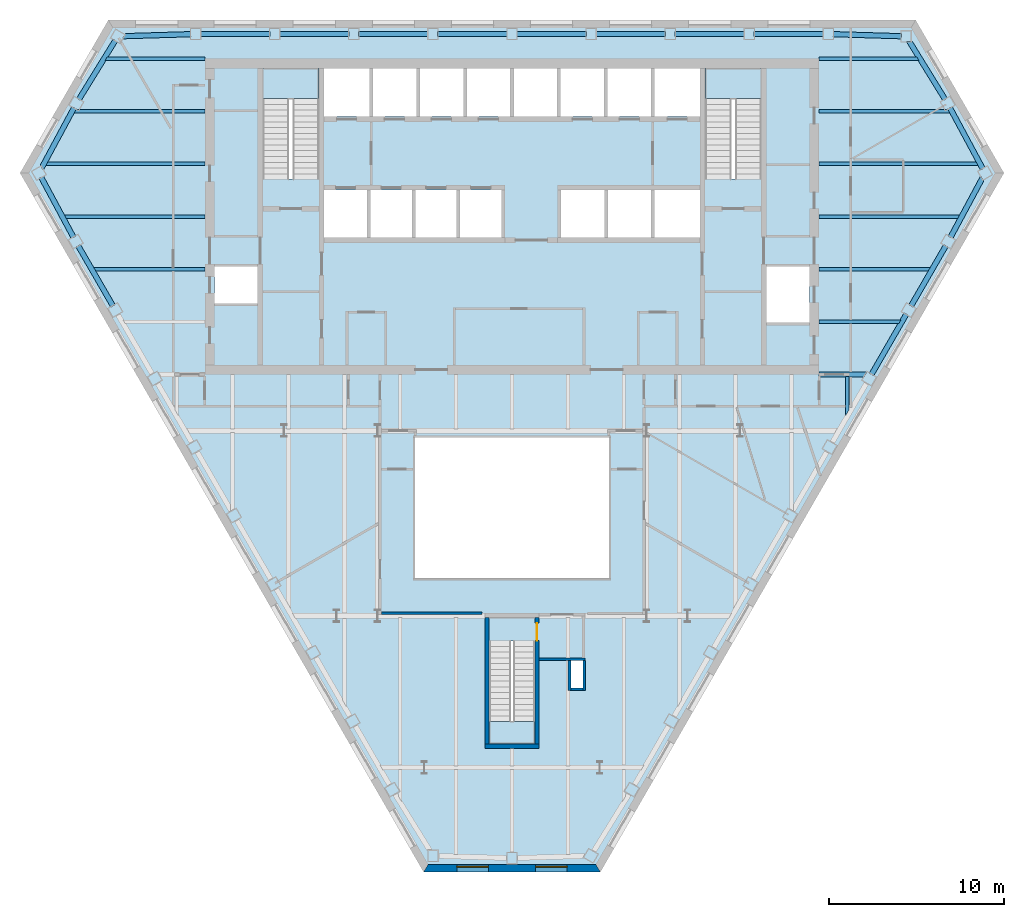
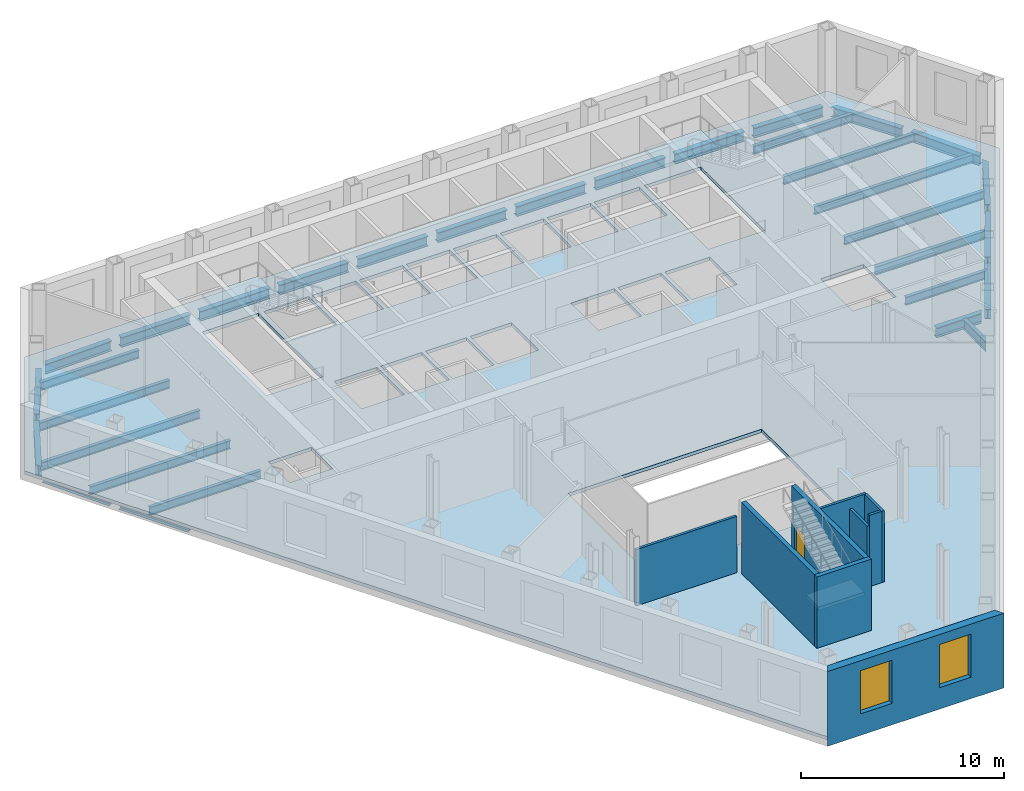
# One storey, part 3 of 11: 32 beams, 9 walls, 4 slabs, 2 windows, 1 door, 3 openings, 3 elements without a shape of their own.
"""IFC4 building model written with IfcOpenShell, lengths in metres."""

from ifc_helpers import new_model, si_unit, direction, frame, frame_2d, origin, origin_2d, place, context, subcontext, project, spatial, polyline, rectangle, i_section, outline, extrude, clip, halfspace, material, layer, layer_set, material_profile, profile_set, type_object, element, fill, aggregate, save


model = new_model("IFC4")

# Units and contexts
model_context = context("Model", 3, precision=1e-05, world=origin(), true_north=direction((0.0, 1.0)))
body_context = subcontext(model_context, "Body", "Model", "MODEL_VIEW")
ifc_project = project(units=[si_unit("LENGTHUNIT", "METRE"), si_unit("AREAUNIT", "SQUARE_METRE"), si_unit("VOLUMEUNIT", "CUBIC_METRE"), si_unit("PLANEANGLEUNIT", "RADIAN"), si_unit("MASSUNIT", "GRAM", prefix="KILO")], contexts=[model_context])

# Site, building, storey
site_placement = place(None, origin())
site = spatial("IfcSite", under=ifc_project, at=site_placement, CompositionType="ELEMENT")
building_placement = place(site_placement, origin())
building = spatial("IfcBuilding", under=site, at=building_placement, Name="Njiva Tower", CompositionType="ELEMENT")
storey_placement = place(building_placement, frame((0.0, 0.0, 102.3)))
storey = spatial("IfcBuildingStorey", under=building, at=storey_placement, Name="L21", CompositionType="ELEMENT", Elevation=102.3)

# Beams
ifc_material_1 = material(Name="Steel S355 J2", Category="steel")
ifc_material_profile_1 = material_profile(ifc_material_1, i_section(OverallWidth=0.22, OverallDepth=0.6, WebThickness=0.012, FlangeThickness=0.019, at=origin_2d()), Name="IPE 600")
ifc_profile_set_1 = profile_set([ifc_material_profile_1], Name="Steel S355 J2")
beam_type_1 = type_object("IfcBeamType", Name="B14 Short-span floor joist IPE 600", PredefinedType="JOIST", material=ifc_profile_set_1)
beam_1_placement = place(storey_placement, frame((19.1, -0.1, -0.5), z_axis=(0.0, -1.0, 0.0), x_axis=(1.0, 0.0, 0.0)))
element("IfcBeam", 1, at=beam_1_placement, inside=storey, type_object=beam_type_1, Name="Short-span floor joist S07-B092", PredefinedType="JOIST", context=body_context, shape_type="Clipping", body=[
    clip(extrude(i_section(OverallWidth=0.22, OverallDepth=0.6, WebThickness=0.012, FlangeThickness=0.019, at=origin_2d()), origin(), (0.0, 0.0, 1.0), 2.308), halfspace(frame((0.0433, 0.0, 2.0217), z_axis=(0.866026552831, 0.0, 0.499998009787), x_axis=(0.0, 1.0, 0.0)), False)),
])
ifc_material_profile_2 = material_profile(ifc_material_1, i_section(OverallWidth=0.3, OverallDepth=0.6, WebThickness=0.0155, FlangeThickness=0.03, at=origin_2d()), Name="HEB 600")
ifc_profile_set_2 = profile_set([ifc_material_profile_2], Name="Steel S355 J2")
beam_type_2 = type_object("IfcBeamType", Name="B21 Short-span floor girder HEB 600", PredefinedType="BEAM", material=ifc_profile_set_2)
beam_2_placement = place(storey_placement, frame((17.5, 0.0, -0.5), z_axis=(1.0, 0.0, 0.0), x_axis=(0.0, 1.0, 0.0)))
element("IfcBeam", 2, at=beam_2_placement, inside=storey, type_object=beam_type_2, Name="Short-span floor girder S07-B028", PredefinedType="BEAM", context=body_context, shape_type="Clipping", body=[
    clip(extrude(i_section(OverallWidth=0.3, OverallDepth=0.6, WebThickness=0.0155, FlangeThickness=0.03, at=origin_2d()), origin(), (0.0, 0.0, 1.0), 2.745), halfspace(frame((-0.025, 0.0, 2.6231), z_axis=(-0.499998009787, 0.0, 0.866026552831), x_axis=(0.0, 1.0, 0.0)), False)),
])
ifc_material_profile_3 = material_profile(ifc_material_1, i_section(OverallWidth=0.2, OverallDepth=0.5, WebThickness=0.0102, FlangeThickness=0.016, at=origin_2d()), Name="IPE 500")
ifc_profile_set_3 = profile_set([ifc_material_profile_3], Name="Steel S355 J2")
beam_type_3 = type_object("IfcBeamType", Name="B24 Floor beam to the core IPE 500", PredefinedType="BEAM", material=ifc_profile_set_3)
beam_3_placement = place(storey_placement, frame((17.5, 3.0, -0.45), z_axis=(1.0, 0.0, 0.0), x_axis=(0.0, 1.0, 0.0)))
element("IfcBeam", 3, at=beam_3_placement, inside=storey, type_object=beam_type_3, Name="Floor beam to the core S07-B008", PredefinedType="BEAM", context=body_context, shape_type="Clipping", body=[
    clip(extrude(i_section(OverallWidth=0.2, OverallDepth=0.5, WebThickness=0.0102, FlangeThickness=0.016, at=origin_2d()), origin(), (0.0, 0.0, 1.0), 4.678), halfspace(frame((-0.025, 0.0, 4.5859), z_axis=(-0.499998009787, 0.0, 0.866026552831), x_axis=(0.0, 1.0, 0.0)), False)),
])
beam_4_placement = place(storey_placement, frame((-23.91, 6.0, -0.45), z_axis=(1.0, 0.0, 0.0), x_axis=(0.0, 1.0, 0.0)))
element("IfcBeam", 4, at=beam_4_placement, inside=storey, type_object=beam_type_3, Name="Floor beam to the core S07-B005", PredefinedType="BEAM", context=body_context, shape_type="Clipping", body=[
    clip(extrude(i_section(OverallWidth=0.2, OverallDepth=0.5, WebThickness=0.0102, FlangeThickness=0.016, at=origin_2d()), origin(), (0.0, 0.0, 1.0), 6.41), halfspace(frame((-0.025, 0.0, 0.092), z_axis=(-0.499998009787, 0.0, -0.866026552831), x_axis=(0.0, -1.0, 0.0)), False)),
])
beam_5_placement = place(storey_placement, frame((17.5, 6.0, -0.45), z_axis=(1.0, 0.0, 0.0), x_axis=(0.0, 1.0, 0.0)))
element("IfcBeam", 5, at=beam_5_placement, inside=storey, type_object=beam_type_3, Name="Floor beam to the core S07-B009", PredefinedType="BEAM", context=body_context, shape_type="Clipping", body=[
    clip(extrude(i_section(OverallWidth=0.2, OverallDepth=0.5, WebThickness=0.0102, FlangeThickness=0.016, at=origin_2d()), origin(), (0.0, 0.0, 1.0), 6.41), halfspace(frame((-0.025, 0.0, 6.318), z_axis=(-0.499998009787, 0.0, 0.866026552831), x_axis=(0.0, 1.0, 0.0)), False)),
])
beam_6_placement = place(storey_placement, frame((-25.584, 9.0, -0.45), z_axis=(1.0, 0.0, 0.0), x_axis=(0.0, 1.0, 0.0)))
element("IfcBeam", 6, at=beam_6_placement, inside=storey, type_object=beam_type_3, Name="Floor beam to the core S07-B002", PredefinedType="BEAM", context=body_context, shape_type="Clipping", body=[
    clip(extrude(i_section(OverallWidth=0.2, OverallDepth=0.5, WebThickness=0.0102, FlangeThickness=0.016, at=origin_2d()), origin(), (0.0, 0.0, 1.0), 8.084), halfspace(frame((-0.0237, 0.0, 0.0865), z_axis=(-0.473769423091, 0.0, -0.880648927634), x_axis=(0.0, -1.0, 0.0)), False)),
])
beam_7_placement = place(storey_placement, frame((17.5, 9.0, -0.45), z_axis=(1.0, 0.0, 0.0), x_axis=(0.0, 1.0, 0.0)))
element("IfcBeam", 7, at=beam_7_placement, inside=storey, type_object=beam_type_3, Name="Floor beam to the core S07-B010", PredefinedType="BEAM", context=body_context, shape_type="Clipping", body=[
    clip(extrude(i_section(OverallWidth=0.2, OverallDepth=0.5, WebThickness=0.0102, FlangeThickness=0.016, at=origin_2d()), origin(), (0.0, 0.0, 1.0), 8.084), halfspace(frame((-0.0237, 0.0, 7.9975), z_axis=(-0.473769423091, 0.0, 0.880648927634), x_axis=(0.0, 1.0, 0.0)), False)),
])
beam_8_placement = place(storey_placement, frame((-26.637, 12.0, -0.45), z_axis=(1.0, 0.0, 0.0), x_axis=(0.0, 1.0, 0.0)))
element("IfcBeam", 8, at=beam_8_placement, inside=storey, type_object=beam_type_3, Name="Floor beam to the core S07-B001", PredefinedType="BEAM", context=body_context, shape_type="Clipping", body=[
    clip(extrude(i_section(OverallWidth=0.2, OverallDepth=0.5, WebThickness=0.0102, FlangeThickness=0.016, at=origin_2d()), origin(), (0.0, 0.0, 1.0), 9.137), halfspace(frame((0.0237, 0.0, 0.0863), z_axis=(0.474151703132, 0.0, -0.880443162513), x_axis=(0.0, -1.0, 0.0)), False)),
])
beam_9_placement = place(storey_placement, frame((17.5, 12.0, -0.45), z_axis=(1.0, 0.0, 0.0), x_axis=(0.0, 1.0, 0.0)))
element("IfcBeam", 9, at=beam_9_placement, inside=storey, type_object=beam_type_3, Name="Floor beam to the core S07-B011", PredefinedType="BEAM", context=body_context, shape_type="Clipping", body=[
    clip(extrude(i_section(OverallWidth=0.2, OverallDepth=0.5, WebThickness=0.0102, FlangeThickness=0.016, at=origin_2d()), origin(), (0.0, 0.0, 1.0), 9.137), halfspace(frame((0.0237, 0.0, 9.0507), z_axis=(0.474151703132, 0.0, 0.880443162513), x_axis=(0.0, 1.0, 0.0)), False)),
])
beam_10_placement = place(storey_placement, frame((-25.022, 15.0, -0.45), z_axis=(1.0, 0.0, 0.0), x_axis=(0.0, 1.0, 0.0)))
element("IfcBeam", 10, at=beam_10_placement, inside=storey, type_object=beam_type_3, Name="Floor beam to the core S07-B003", PredefinedType="BEAM", context=body_context, shape_type="Clipping", body=[
    clip(extrude(i_section(OverallWidth=0.2, OverallDepth=0.5, WebThickness=0.0102, FlangeThickness=0.016, at=origin_2d()), origin(), (0.0, 0.0, 1.0), 7.522), halfspace(frame((0.0237, 0.0, 0.0869), z_axis=(0.474151703132, 0.0, -0.880443162513), x_axis=(0.0, -1.0, 0.0)), False)),
])
beam_11_placement = place(storey_placement, frame((17.5, 15.0, -0.45), z_axis=(1.0, 0.0, 0.0), x_axis=(0.0, 1.0, 0.0)))
element("IfcBeam", 11, at=beam_11_placement, inside=storey, type_object=beam_type_3, Name="Floor beam to the core S07-B013", PredefinedType="BEAM", context=body_context, shape_type="Clipping", body=[
    clip(extrude(i_section(OverallWidth=0.2, OverallDepth=0.5, WebThickness=0.0102, FlangeThickness=0.016, at=origin_2d()), origin(), (0.0, 0.0, 1.0), 7.522), halfspace(frame((0.0237, 0.0, 7.4351), z_axis=(0.474151703132, 0.0, 0.880443162513), x_axis=(0.0, 1.0, 0.0)), False)),
])
beam_12_placement = place(storey_placement, frame((-23.208, 18.0, -0.45), z_axis=(1.0, 0.0, 0.0), x_axis=(0.0, 1.0, 0.0)))
element("IfcBeam", 12, at=beam_12_placement, inside=storey, type_object=beam_type_3, Name="Floor beam to the core S07-B006", PredefinedType="BEAM", context=body_context, shape_type="Clipping", body=[
    clip(extrude(i_section(OverallWidth=0.2, OverallDepth=0.5, WebThickness=0.0102, FlangeThickness=0.016, at=origin_2d()), origin(), (0.0, 0.0, 1.0), 5.708), halfspace(frame((0.0263, 0.0, 0.0982), z_axis=(0.525409634683, 0.0, -0.850849408405), x_axis=(0.0, -1.0, 0.0)), False)),
])
beam_13_placement = place(storey_placement, frame((17.5, 18.0, -0.45), z_axis=(1.0, 0.0, 0.0), x_axis=(0.0, 1.0, 0.0)))
element("IfcBeam", 13, at=beam_13_placement, inside=storey, type_object=beam_type_3, Name="Floor beam to the core S07-B014", PredefinedType="BEAM", context=body_context, shape_type="Clipping", body=[
    clip(extrude(i_section(OverallWidth=0.2, OverallDepth=0.5, WebThickness=0.0102, FlangeThickness=0.016, at=origin_2d()), origin(), (0.0, 0.0, 1.0), 5.708), halfspace(frame((0.0263, 0.0, 5.6098), z_axis=(0.525409634683, 0.0, 0.850849408405), x_axis=(0.0, 1.0, 0.0)), False)),
])
ifc_material_profile_4 = material_profile(ifc_material_1, i_section(OverallWidth=0.3, OverallDepth=0.6, WebThickness=0.0155, FlangeThickness=0.03, at=origin_2d()), Name="HEB 600")
ifc_profile_set_4 = profile_set([ifc_material_profile_4], Name="Steel S355 J2")
beam_type_4 = type_object("IfcBeamType", Name="B3 Short-span spandrel beam HEB 600", PredefinedType="SPANDREL", material=ifc_profile_set_4)
beam_14_placement = place(storey_placement, frame((22.182, 19.275, -0.5), z_axis=(-0.999544015996, 0.030195365317, 0.0), x_axis=(-0.030195365317, -0.999544015996, 0.0)))
element("IfcBeam", 14, at=beam_14_placement, inside=storey, type_object=beam_type_4, Name="Short-span spandrel beam S07-B154", PredefinedType="SPANDREL", context=body_context, shape_type="SweptSolid", body=[
    extrude(i_section(OverallWidth=0.3, OverallDepth=0.6, WebThickness=0.0155, FlangeThickness=0.03, at=origin_2d()), origin(), (0.0, 0.0, 1.0), 3.8748),
])
beam_15_placement = place(storey_placement, frame((17.755, 19.4, -0.5), z_axis=(-1.0, 0.0, 0.0), x_axis=(0.0, -1.0, 0.0)))
element("IfcBeam", 15, at=beam_15_placement, inside=storey, type_object=beam_type_4, Name="Short-span spandrel beam S07-B148", PredefinedType="SPANDREL", context=body_context, shape_type="SweptSolid", body=[
    extrude(i_section(OverallWidth=0.3, OverallDepth=0.6, WebThickness=0.0155, FlangeThickness=0.03, at=origin_2d()), origin(), (0.0, 0.0, 1.0), 3.957),
])
beam_16_placement = place(storey_placement, frame((13.248, 19.4, -0.5), z_axis=(-1.0, 0.0, 0.0), x_axis=(0.0, -1.0, 0.0)))
element("IfcBeam", 16, at=beam_16_placement, inside=storey, type_object=beam_type_4, Name="Short-span spandrel beam S07-B142", PredefinedType="SPANDREL", context=body_context, shape_type="SweptSolid", body=[
    extrude(i_section(OverallWidth=0.3, OverallDepth=0.6, WebThickness=0.0155, FlangeThickness=0.03, at=origin_2d()), origin(), (0.0, 0.0, 1.0), 3.958),
])
beam_17_placement = place(storey_placement, frame((8.74, 19.4, -0.5), z_axis=(-1.0, 0.0, 0.0), x_axis=(0.0, -1.0, 0.0)))
element("IfcBeam", 17, at=beam_17_placement, inside=storey, type_object=beam_type_4, Name="Short-span spandrel beam S07-B137", PredefinedType="SPANDREL", context=body_context, shape_type="SweptSolid", body=[
    extrude(i_section(OverallWidth=0.3, OverallDepth=0.6, WebThickness=0.0155, FlangeThickness=0.03, at=origin_2d()), origin(), (0.0, 0.0, 1.0), 3.957),
])
for number, where, z_axis, x_axis, name in (
    (18, (4.233, 19.4, -0.5), (-1.0, 0.0, 0.0), (0.0, -1.0, 0.0), "Short-span spandrel beam S07-B132"),
    (19, (-0.275, 19.4, -0.5), (-1.0, 0.0, 0.0), (0.0, -1.0, 0.0), "Short-span spandrel beam S07-B130"),
):
    element("IfcBeam", number, at=place(storey_placement, frame(where, z_axis=z_axis, x_axis=x_axis)), inside=storey, type_object=beam_type_4, Name=name, PredefinedType="SPANDREL", context=body_context, shape_type="SweptSolid", body=[
        extrude(i_section(OverallWidth=0.3, OverallDepth=0.6, WebThickness=0.0155, FlangeThickness=0.03, at=origin_2d()), origin(), (0.0, 0.0, 1.0), 3.958),
    ])
beam_18_placement = place(storey_placement, frame((-4.783, 19.4, -0.5), z_axis=(-1.0, 0.0, 0.0), x_axis=(0.0, -1.0, 0.0)))
element("IfcBeam", 20, at=beam_18_placement, inside=storey, type_object=beam_type_4, Name="Short-span spandrel beam S07-B126", PredefinedType="SPANDREL", context=body_context, shape_type="SweptSolid", body=[
    extrude(i_section(OverallWidth=0.3, OverallDepth=0.6, WebThickness=0.0155, FlangeThickness=0.03, at=origin_2d()), origin(), (0.0, 0.0, 1.0), 3.957),
])
beam_19_placement = place(storey_placement, frame((-9.29, 19.4, -0.5), z_axis=(-1.0, 0.0, 0.0), x_axis=(0.0, -1.0, 0.0)))
element("IfcBeam", 21, at=beam_19_placement, inside=storey, type_object=beam_type_4, Name="Short-span spandrel beam S07-B121", PredefinedType="SPANDREL", context=body_context, shape_type="SweptSolid", body=[
    extrude(i_section(OverallWidth=0.3, OverallDepth=0.6, WebThickness=0.0155, FlangeThickness=0.03, at=origin_2d()), origin(), (0.0, 0.0, 1.0), 3.958),
])
beam_20_placement = place(storey_placement, frame((-13.798, 19.4, -0.5), z_axis=(-1.0, 0.0, 0.0), x_axis=(0.0, -1.0, 0.0)))
element("IfcBeam", 22, at=beam_20_placement, inside=storey, type_object=beam_type_4, Name="Short-span spandrel beam S07-B115", PredefinedType="SPANDREL", context=body_context, shape_type="SweptSolid", body=[
    extrude(i_section(OverallWidth=0.3, OverallDepth=0.6, WebThickness=0.0155, FlangeThickness=0.03, at=origin_2d()), origin(), (0.0, 0.0, 1.0), 3.957),
])
beam_21_placement = place(storey_placement, frame((-18.309, 19.392, -0.5), z_axis=(-0.999542384946, -0.030249309018, 0.0), x_axis=(0.030249309018, -0.999542384946, 0.0)))
element("IfcBeam", 23, at=beam_21_placement, inside=storey, type_object=beam_type_4, Name="Short-span spandrel beam S07-B109", PredefinedType="SPANDREL", context=body_context, shape_type="Clipping", body=[
    clip(extrude(i_section(OverallWidth=0.3, OverallDepth=0.6, WebThickness=0.0155, FlangeThickness=0.03, at=origin_2d()), origin(), (0.0, 0.0, 1.0), 3.9147), halfspace(frame((-0.0268, 0.0, 3.785), z_axis=(-0.525965907985, 0.0, 0.850505651737), x_axis=(0.0, 1.0, 0.0)), False)),
])
beam_22_placement = place(storey_placement, frame((-22.608, 19.03, -0.5), z_axis=(-0.525314575053, -0.850908101523, 0.0), x_axis=(0.850908101523, -0.525314575053, 0.0)))
element("IfcBeam", 24, at=beam_22_placement, inside=storey, type_object=beam_type_4, Name="Short-span spandrel beam S07-B105", PredefinedType="SPANDREL", context=body_context, shape_type="SweptSolid", body=[
    extrude(i_section(OverallWidth=0.3, OverallDepth=0.6, WebThickness=0.0155, FlangeThickness=0.03, at=origin_2d()), origin(), (0.0, 0.0, 1.0), 3.9405),
])
beam_23_placement = place(storey_placement, frame((-24.957, 15.194, -0.5), z_axis=(-0.474207752465, -0.880412975542, 0.0), x_axis=(0.880412975542, -0.474207752465, 0.0)))
element("IfcBeam", 25, at=beam_23_placement, inside=storey, type_object=beam_type_4, Name="Short-span spandrel beam S07-B101", PredefinedType="SPANDREL", context=body_context, shape_type="Clipping", body=[
    clip(extrude(i_section(OverallWidth=0.3, OverallDepth=0.6, WebThickness=0.0155, FlangeThickness=0.03, at=origin_2d()), origin(), (0.0, 0.0, 1.0), 3.9805), halfspace(frame((-0.026, 0.0, 3.8511), z_axis=(-0.525358081818, 0.0, 0.850881240755), x_axis=(0.0, 1.0, 0.0)), False)),
])
beam_24_placement = place(storey_placement, frame((-26.825, 11.234, -0.5), z_axis=(0.473745879113, -0.880661593362, 0.0), x_axis=(0.880661593362, 0.473745879113, 0.0)))
element("IfcBeam", 26, at=beam_24_placement, inside=storey, type_object=beam_type_4, Name="Short-span spandrel beam S07-B100", PredefinedType="SPANDREL", context=body_context, shape_type="SweptSolid", body=[
    extrude(i_section(OverallWidth=0.3, OverallDepth=0.6, WebThickness=0.0155, FlangeThickness=0.03, at=origin_2d()), origin(), (0.0, 0.0, 1.0), 3.8755),
])
beam_25_placement = place(storey_placement, frame((-24.72, 7.337, -0.5), z_axis=(0.500079715141, -0.865979375335, 0.0), x_axis=(0.865979375335, 0.500079715141, 0.0)))
element("IfcBeam", 27, at=beam_25_placement, inside=storey, type_object=beam_type_4, Name="Short-span spandrel beam S07-B104", PredefinedType="SPANDREL", context=body_context, shape_type="SweptSolid", body=[
    extrude(i_section(OverallWidth=0.3, OverallDepth=0.6, WebThickness=0.0155, FlangeThickness=0.03, at=origin_2d()), origin(), (0.0, 0.0, 1.0), 3.9574),
])
beam_26_placement = place(storey_placement, frame((20.487, 0.006, -0.5), z_axis=(0.499970304126, 0.866042548026, 0.0), x_axis=(-0.866042548026, 0.499970304126, 0.0)))
element("IfcBeam", 28, at=beam_26_placement, inside=storey, type_object=beam_type_4, Name="Short-span spandrel beam S07-B156", PredefinedType="SPANDREL", context=body_context, shape_type="SweptSolid", body=[
    extrude(i_section(OverallWidth=0.3, OverallDepth=0.6, WebThickness=0.0155, FlangeThickness=0.03, at=origin_2d()), origin(), (0.0, 0.0, 1.0), 3.9582),
])
beam_27_placement = place(storey_placement, frame((22.741, 3.91, -0.5), z_axis=(0.500079715141, 0.865979375335, 0.0), x_axis=(-0.865979375335, 0.500079715141, 0.0)))
element("IfcBeam", 29, at=beam_27_placement, inside=storey, type_object=beam_type_4, Name="Short-span spandrel beam S07-B160", PredefinedType="SPANDREL", context=body_context, shape_type="SweptSolid", body=[
    extrude(i_section(OverallWidth=0.3, OverallDepth=0.6, WebThickness=0.0155, FlangeThickness=0.03, at=origin_2d()), origin(), (0.0, 0.0, 1.0), 3.9574),
])
beam_28_placement = place(storey_placement, frame((24.989, 7.821, -0.5), z_axis=(0.473942975033, 0.880555538519, 0.0), x_axis=(-0.880555538519, 0.473942975033, 0.0)))
element("IfcBeam", 30, at=beam_28_placement, inside=storey, type_object=beam_type_4, Name="Short-span spandrel beam S07-B163", PredefinedType="SPANDREL", context=body_context, shape_type="Clipping", body=[
    clip(extrude(i_section(OverallWidth=0.3, OverallDepth=0.6, WebThickness=0.0155, FlangeThickness=0.03, at=origin_2d()), origin(), (0.0, 0.0, 1.0), 3.9151), halfspace(frame((-0.026, 0.0, 3.7856), z_axis=(-0.525613933331, 0.0, 0.850723217673), x_axis=(0.0, 1.0, 0.0)), False)),
])
beam_29_placement = place(storey_placement, frame((26.825, 11.724, -0.5), z_axis=(-0.474009028458, 0.880519983271, 0.0), x_axis=(-0.880519983271, -0.474009028458, 0.0)))
element("IfcBeam", 31, at=beam_29_placement, inside=storey, type_object=beam_type_4, Name="Short-span spandrel beam S07-B162", PredefinedType="SPANDREL", context=body_context, shape_type="SweptSolid", body=[
    extrude(i_section(OverallWidth=0.3, OverallDepth=0.6, WebThickness=0.0155, FlangeThickness=0.03, at=origin_2d()), origin(), (0.0, 0.0, 1.0), 3.9409),
])
beam_30_placement = place(storey_placement, frame((24.678, 15.677, -0.5), z_axis=(-0.525481869392, 0.850804798376, 0.0), x_axis=(-0.850804798376, -0.525481869392, 0.0)))
element("IfcBeam", 32, at=beam_30_placement, inside=storey, type_object=beam_type_4, Name="Short-span spandrel beam S07-B158", PredefinedType="SPANDREL", context=body_context, shape_type="Clipping", body=[
    clip(extrude(i_section(OverallWidth=0.3, OverallDepth=0.6, WebThickness=0.0155, FlangeThickness=0.03, at=origin_2d()), origin(), (0.0, 0.0, 1.0), 3.9799), halfspace(frame((-0.0266, 0.0, 3.8505), z_axis=(-0.525481869392, 0.0, 0.850804798376), x_axis=(0.0, 1.0, 0.0)), False)),
])

# Stair, slab
ifc_material_2 = material(Name="Concrete C40/50", Category="concrete")
stair_type_1 = type_object("IfcStairType", Name="ST4 Exit stair 1500", PredefinedType="HALF_TURN_STAIR", material=ifc_material_2)
stair_1_placement = place(storey_placement, origin())
stair_1 = element("IfcStair", 33, at=stair_1_placement, inside=storey, type_object=stair_type_1, Name="Stair A", PredefinedType="HALF_TURN_STAIR")
ifc_layer_1 = layer(ifc_material_2, 0.2)
ifc_layer_set_1 = layer_set([ifc_layer_1], Name="Concrete C40/50")
slab_type_1 = type_object("IfcSlabType", Name="FL9 Stair landing 200", PredefinedType="LANDING", material=ifc_layer_set_1)
slab_1_placement = place(storey_placement, frame((0.0, 0.0, 2.05)))
slab_1 = element("IfcSlab", 34, at=slab_1_placement, type_object=slab_type_1, Name="ST-A landing 1", PredefinedType="LANDING", context=body_context, shape_type="SweptSolid", body=[
    extrude(outline(polyline([(-14.206, 15.72), (-10.994, 15.72), (-10.994, 17.45), (-14.206, 17.45), (-14.206, 15.72)])), origin(), (0.0, 0.0, 1.0), 0.2),
])
aggregate(stair_1, [slab_1])

stair_2_placement = place(storey_placement, origin())
stair_2 = element("IfcStair", 35, at=stair_2_placement, inside=storey, type_object=stair_type_1, Name="Stair B", PredefinedType="HALF_TURN_STAIR")
slab_2_placement = place(storey_placement, frame((0.0, 0.0, 2.05)))
slab_2 = element("IfcSlab", 36, at=slab_2_placement, type_object=slab_type_1, Name="ST-B landing 1", PredefinedType="LANDING", context=body_context, shape_type="SweptSolid", body=[
    extrude(outline(polyline([(10.994, 15.72), (14.206, 15.72), (14.206, 17.45), (10.994, 17.45), (10.994, 15.72)])), origin(), (0.0, 0.0, 1.0), 0.2),
])
aggregate(stair_2, [slab_2])

stair_type_2 = type_object("IfcStairType", Name="ST1 Exit stair 1250", PredefinedType="HALF_TURN_STAIR", material=ifc_material_2)
stair_3_placement = place(storey_placement, origin())
stair_3 = element("IfcStair", 37, at=stair_3_placement, inside=storey, type_object=stair_type_2, Name="Stair C", PredefinedType="HALF_TURN_STAIR")
slab_3_placement = place(storey_placement, frame((0.0, 0.0, 2.05)))
slab_3 = element("IfcSlab", 38, at=slab_3_placement, type_object=slab_type_1, Name="ST-C landing 1", PredefinedType="LANDING", context=body_context, shape_type="SweptSolid", body=[
    extrude(outline(polyline([(-1.306, -21.05), (1.306, -21.05), (1.306, -19.78), (-1.306, -19.78), (-1.306, -21.05)])), origin(), (0.0, 0.0, 1.0), 0.2),
])
aggregate(stair_3, [slab_3])

# Slab
ifc_material_3 = material(Name="Concrete C30/37", Category="concrete")
ifc_layer_2 = layer(ifc_material_3, 0.2)
ifc_layer_set_2 = layer_set([ifc_layer_2], Name="Concrete C30/37")
slab_type_2 = type_object("IfcSlabType", Name="SL16 Composite floor slab 200", PredefinedType="FLOOR", material=ifc_layer_set_2)
slab_4_placement = place(storey_placement, frame((0.0, 0.0, -0.2)))
element("IfcSlab", 39, at=slab_4_placement, inside=storey, type_object=slab_type_2, Name="Floor slab L21", PredefinedType="FLOOR", context=body_context, shape_type="SweptSolid", body=[
    extrude(outline(polyline([(27.7752, 11.4791), (4.9051, -28.133), (-4.9051, -28.133), (-27.7752, 11.4791), (-22.8701, 19.975), (22.8701, 19.975), (27.7752, 11.4791)]), holes=[polyline([(14.5, 2.9559), (16.95, 2.9559), (16.95, 6.15), (14.5, 6.15), (14.5, 2.9559)]), polyline([(10.994, 17.45), (10.994, 11.13), (14.206, 11.13), (14.206, 17.45), (10.994, 17.45)]), polyline([(8.125, 17.45), (8.125, 14.7), (10.7, 14.7), (10.7, 17.45), (8.125, 17.45)]), polyline([(8.1333, 7.8), (10.7, 7.8), (10.7, 10.5), (8.1333, 10.5), (8.1333, 7.8)]), polyline([(5.4667, 10.5), (5.4667, 7.8), (7.9333, 7.8), (7.9333, 10.5), (5.4667, 10.5)]), polyline([(5.45, 17.45), (5.45, 14.7), (7.925, 14.7), (7.925, 17.45), (5.45, 17.45)]), polyline([(5.52, -11.6), (5.52, -3.6), (-5.52, -3.6), (-5.52, -11.6), (5.52, -11.6)]), polyline([(2.8, 10.5), (2.8, 7.8), (5.2667, 7.8), (5.2667, 10.5), (2.8, 10.5)]), polyline([(2.775, 14.7), (5.25, 14.7), (5.25, 17.45), (2.775, 17.45), (2.775, 14.7)]), polyline([(3.35, -17.85), (4.05, -17.85), (4.05, -16.3), (3.35, -16.3), (3.35, -17.85)]), polyline([(0.1, 17.45), (0.1, 14.7), (2.575, 14.7), (2.575, 17.45), (0.1, 17.45)]), polyline([(-1.306, -21.05), (1.306, -21.05), (1.306, -15.19), (-1.306, -15.19), (-1.306, -21.05)]), polyline([(-2.575, 17.45), (-2.575, 14.7), (-0.1, 14.7), (-0.1, 17.45), (-2.575, 17.45)]), polyline([(-2.95, 7.8), (-0.6, 7.8), (-0.6, 10.5), (-2.95, 10.5), (-2.95, 7.8)]), polyline([(-5.25, 17.45), (-5.25, 14.7), (-2.775, 14.7), (-2.775, 17.45), (-5.25, 17.45)]), polyline([(-5.5, 10.5), (-5.5, 7.8), (-3.15, 7.8), (-3.15, 10.5), (-5.5, 10.5)]), polyline([(-7.925, 14.7), (-5.45, 14.7), (-5.45, 17.45), (-7.925, 17.45), (-7.925, 14.7)]), polyline([(-8.05, 10.5), (-8.05, 7.8), (-5.7, 7.8), (-5.7, 10.5), (-8.05, 10.5)]), polyline([(-10.7, 17.45), (-10.7, 14.7), (-8.125, 14.7), (-8.125, 17.45), (-10.7, 17.45)]), polyline([(-10.7, 7.8), (-8.25, 7.8), (-8.25, 10.5), (-10.7, 10.5), (-10.7, 7.8)]), polyline([(-14.206, 17.45), (-14.206, 11.13), (-10.994, 11.13), (-10.994, 17.45), (-14.206, 17.45)]), polyline([(-16.95, 4.0598), (-14.5, 4.0598), (-14.5, 6.15), (-16.95, 6.15), (-16.95, 4.0598)])]), origin(), (0.0, 0.0, 1.0), 0.2),
])

# Walls
ifc_material_4 = material(Name="Gypsum board on steel studs", Category="gypsum")
ifc_layer_3 = layer(ifc_material_4, 0.15)
ifc_layer_set_3 = layer_set([ifc_layer_3], Name="Gypsum board on steel studs")
wall_type_1 = type_object("IfcWallType", Name="WT21 Compartment wall 150", PredefinedType="PARTITIONING", material=ifc_layer_set_3)
wall_1_placement = place(storey_placement, frame((-7.445, -13.6, 0.0), z_axis=(0.0, 0.0, 1.0), x_axis=(1.0, 0.0, 0.0)))
element("IfcWall", 40, at=wall_1_placement, inside=storey, type_object=wall_type_1, Name="Partition S07-P011", PredefinedType="PARTITIONING", context=body_context, shape_type="SweptSolid", body=[
    extrude(rectangle(XDim=5.745, YDim=0.15, at=frame_2d((2.8725, 0.0))), origin(), (0.0, 0.0, 1.0), 3.39),
])
ifc_material_5 = material(Name="Blockwork", Category="masonry")
ifc_layer_4 = layer(ifc_material_5, 0.15)
ifc_layer_set_4 = layer_set([ifc_layer_4], Name="Blockwork")
wall_type_2 = type_object("IfcWallType", Name="WT4 Stair partition 150", PredefinedType="PARTITIONING", material=ifc_layer_set_4)
wall_2_placement = place(storey_placement, frame((1.55, -16.225, 0.0), z_axis=(0.0, 0.0, 1.0), x_axis=(1.0, 0.0, 0.0)))
element("IfcWall", 41, at=wall_2_placement, inside=storey, type_object=wall_type_2, Name="Stair C vestibule wall south", PredefinedType="PARTITIONING", context=body_context, shape_type="SweptSolid", body=[
    extrude(rectangle(XDim=2.6, YDim=0.15, at=frame_2d((1.3, 0.0))), origin(), (0.0, 0.0, 1.0), 4.3),
])
wall_3_placement = place(storey_placement, frame((3.275, -18.0, 0.0), z_axis=(0.0, 0.0, 1.0), x_axis=(0.0, 1.0, 0.0)))
element("IfcWall", 42, at=wall_3_placement, inside=storey, type_object=wall_type_2, Name="Stair C pressurisation shaft wall", PredefinedType="PARTITIONING", context=body_context, shape_type="SweptSolid", body=[
    extrude(rectangle(XDim=1.7, YDim=0.15, at=frame_2d((0.85, 0.0))), origin(), (0.0, 0.0, 1.0), 3.7),
])
wall_4_placement = place(storey_placement, frame((3.35, -17.925, 0.0), z_axis=(0.0, 0.0, 1.0), x_axis=(1.0, 0.0, 0.0)))
element("IfcWall", 43, at=wall_4_placement, inside=storey, type_object=wall_type_2, Name="Stair C pressurisation shaft wall", PredefinedType="PARTITIONING", context=body_context, shape_type="SweptSolid", body=[
    extrude(rectangle(XDim=0.7, YDim=0.15, at=frame_2d((0.35, 0.0))), origin(), (0.0, 0.0, 1.0), 4.3),
])
wall_5_placement = place(storey_placement, frame((4.125, -18.0, 0.0), z_axis=(0.0, 0.0, 1.0), x_axis=(0.0, 1.0, 0.0)))
element("IfcWall", 44, at=wall_5_placement, inside=storey, type_object=wall_type_2, Name="Stair C pressurisation shaft wall", PredefinedType="PARTITIONING", context=body_context, shape_type="SweptSolid", body=[
    extrude(rectangle(XDim=1.7, YDim=0.15, at=frame_2d((0.85, 0.0))), origin(), (0.0, 0.0, 1.0), 4.3),
])
ifc_layer_5 = layer(ifc_material_2, 0.25)
ifc_layer_set_5 = layer_set([ifc_layer_5], Name="Concrete C40/50")
wall_type_3 = type_object("IfcWallType", Name="WT9 Stair enclosure wall 250", PredefinedType="SHEAR", material=ifc_layer_set_5)
wall_6_placement = place(storey_placement, frame((-1.425, -21.05, 0.0), z_axis=(0.0, 0.0, 1.0), x_axis=(0.0, 1.0, 0.0)))
element("IfcWall", 45, at=wall_6_placement, inside=storey, type_object=wall_type_3, Name="Stair C wall west", PredefinedType="SHEAR", context=body_context, shape_type="SweptSolid", body=[
    extrude(rectangle(XDim=7.2, YDim=0.25, at=frame_2d((3.6, 0.0))), origin(), (0.0, 0.0, 1.0), 4.3),
])

# Wall, opening, door
wall_7_placement = place(storey_placement, frame((1.425, -21.05, 0.0), z_axis=(0.0, 0.0, 1.0), x_axis=(0.0, 1.0, 0.0)))
wall_7 = element("IfcWall", 46, at=wall_7_placement, inside=storey, type_object=wall_type_3, Name="Stair C wall east", PredefinedType="SHEAR", context=body_context, shape_type="SweptSolid", body=[
    extrude(rectangle(XDim=7.2, YDim=0.25, at=frame_2d((3.6, 0.0))), origin(), (0.0, 0.0, 1.0), 4.3),
])
opening_1_placement = place(wall_7_placement, frame((5.89, 0.0, 0.0)))
opening_1 = element("IfcOpeningElement", 47, at=opening_1_placement, cuts=wall_7, Name="Opening S07-D938", PredefinedType="OPENING", context=body_context, shape_type="SweptSolid", body=[
    extrude(rectangle(XDim=1.0, YDim=2.1, at=frame_2d((0.5, 1.05))), frame((0.0, 0.135, 0.0), z_axis=(0.0, -1.0, 0.0), x_axis=(1.0, 0.0, 0.0)), (0.0, 0.0, 1.0), 0.27),
])
ifc_material_6 = material(Name="Glazed steel fire door", Category="steel")
door_type = type_object("IfcDoorType", Name="D9 Stair vestibule door 1000x2100 glazed", OperationType="SINGLE_SWING_LEFT", PredefinedType="DOOR", material=ifc_material_6)
door_placement = place(opening_1_placement, origin())
door = element("IfcDoor", 48, at=door_placement, inside=storey, type_object=door_type, Name="Stair C door", OperationType="SINGLE_SWING_LEFT", OverallHeight=2.1, OverallWidth=1.0, PredefinedType="DOOR", context=body_context, shape_type="SweptSolid", body=[
    extrude(rectangle(XDim=1.0, YDim=2.1, at=frame_2d((0.5, 1.05))), frame((0.0, 0.025, 0.0), z_axis=(0.0, -1.0, 0.0), x_axis=(1.0, 0.0, 0.0)), (0.0, 0.0, 1.0), 0.05),
])
fill(opening_1, door)

# Wall
wall_8_placement = place(storey_placement, frame((-1.55, -21.175, 0.0), z_axis=(0.0, 0.0, 1.0), x_axis=(1.0, 0.0, 0.0)))
element("IfcWall", 49, at=wall_8_placement, inside=storey, type_object=wall_type_3, Name="Stair C wall south", PredefinedType="SHEAR", context=body_context, shape_type="SweptSolid", body=[
    extrude(rectangle(XDim=3.1, YDim=0.25, at=frame_2d((1.55, 0.0))), origin(), (0.0, 0.0, 1.0), 4.3),
])

# Wall, openings, windows
ifc_material_7 = material(Name="Brick masonry, buff", Category="masonry")
ifc_layer_6 = layer(ifc_material_7, 0.45)
ifc_layer_set_6 = layer_set([ifc_layer_6], Name="Brick masonry, buff")
wall_type_4 = type_object("IfcWallType", Name="WT94 Brick pier and spandrel wall 450, buff", PredefinedType="SOLIDWALL", material=ifc_layer_set_6)
wall_9_placement = place(storey_placement, frame((-4.9051, -28.133, -0.4), z_axis=(0.0, 0.0, 1.0), x_axis=(1.0, 0.0, 0.0)))
wall_9 = element("IfcWall", 50, at=wall_9_placement, inside=storey, type_object=wall_type_4, Name="Facade wall S", PredefinedType="SOLIDWALL", context=body_context, shape_type="SweptSolid", body=[
    extrude(outline(polyline([(-0.1299, -0.225), (9.9401, -0.225), (9.6803, 0.225), (0.1299, 0.225), (-0.1299, -0.225)])), origin(), (0.0, 0.0, 1.0), 4.5),
])
opening_2_placement = place(wall_9_placement, frame((1.7569, 0.0, 1.3)))
opening_2 = element("IfcOpeningElement", 51, at=opening_2_placement, cuts=wall_9, Name="Opening S07-W22", PredefinedType="OPENING", context=body_context, shape_type="SweptSolid", body=[
    extrude(rectangle(XDim=1.8, YDim=2.6, at=frame_2d((0.9, 1.3))), frame((0.0, 0.235, 0.0), z_axis=(0.0, -1.0, 0.0), x_axis=(1.0, 0.0, 0.0)), (0.0, 0.0, 1.0), 0.47),
])
opening_3_placement = place(wall_9_placement, frame((6.2532, 0.0, 1.3)))
opening_3 = element("IfcOpeningElement", 52, at=opening_3_placement, cuts=wall_9, Name="Opening S07-W23", PredefinedType="OPENING", context=body_context, shape_type="SweptSolid", body=[
    extrude(rectangle(XDim=1.8, YDim=2.6, at=frame_2d((0.9, 1.3))), frame((0.0, 0.235, 0.0), z_axis=(0.0, -1.0, 0.0), x_axis=(1.0, 0.0, 0.0)), (0.0, 0.0, 1.0), 0.47),
])
ifc_material_8 = material(Name="Clear glazing in aluminium frame", Category="aluminium")
window_type = type_object("IfcWindowType", Name="W96 Deep-set window 1800x2600", PartitioningType="SINGLE_PANEL", PredefinedType="WINDOW", material=ifc_material_8)
window_1_placement = place(opening_2_placement, origin())
window_1 = element("IfcWindow", 53, at=window_1_placement, inside=storey, type_object=window_type, Name="Window", OverallHeight=2.6, OverallWidth=1.8, PartitioningType="SINGLE_PANEL", PredefinedType="WINDOW", context=body_context, shape_type="SweptSolid", body=[
    extrude(rectangle(XDim=1.8, YDim=2.6, at=frame_2d((0.9, 1.3))), frame((0.0, 0.105, 0.0), z_axis=(0.0, -1.0, 0.0), x_axis=(1.0, 0.0, 0.0)), (0.0, 0.0, 1.0), 0.06),
])
fill(opening_2, window_1)
window_2_placement = place(opening_3_placement, origin())
window_2 = element("IfcWindow", 54, at=window_2_placement, inside=storey, type_object=window_type, Name="Window", OverallHeight=2.6, OverallWidth=1.8, PartitioningType="SINGLE_PANEL", PredefinedType="WINDOW", context=body_context, shape_type="SweptSolid", body=[
    extrude(rectangle(XDim=1.8, YDim=2.6, at=frame_2d((0.9, 1.3))), frame((0.0, 0.105, 0.0), z_axis=(0.0, -1.0, 0.0), x_axis=(1.0, 0.0, 0.0)), (0.0, 0.0, 1.0), 0.06),
])
fill(opening_3, window_2)

save(model, "model.ifc")
